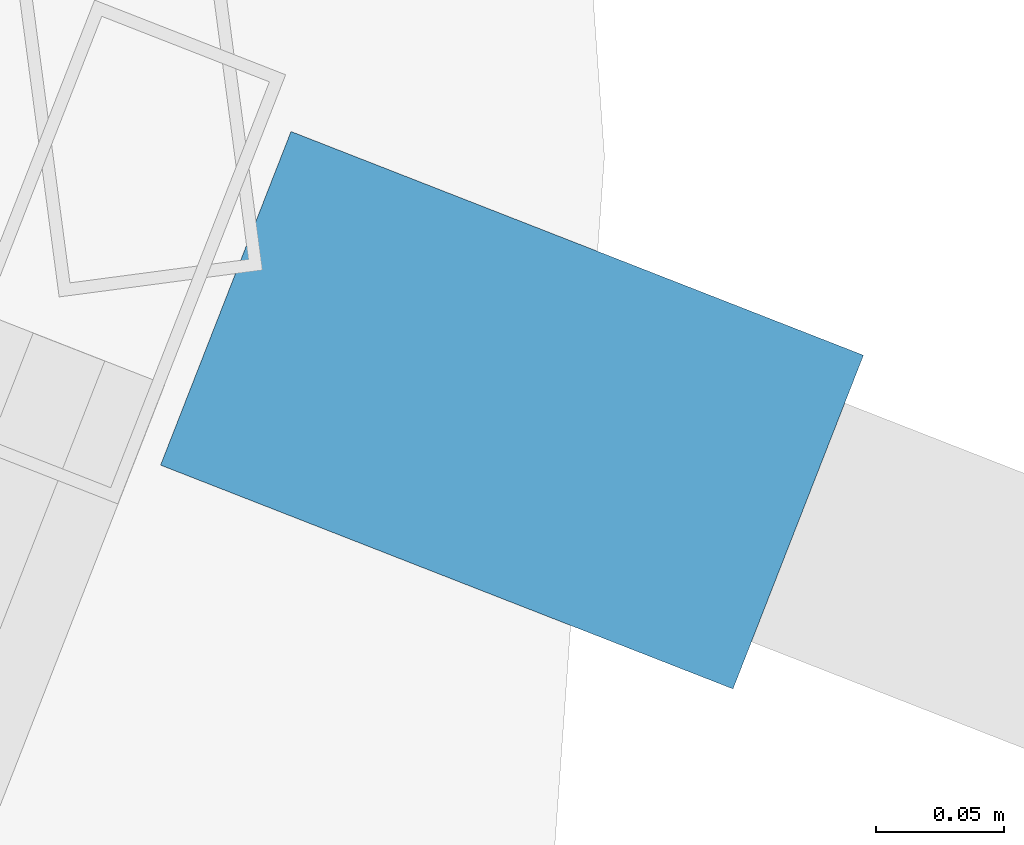
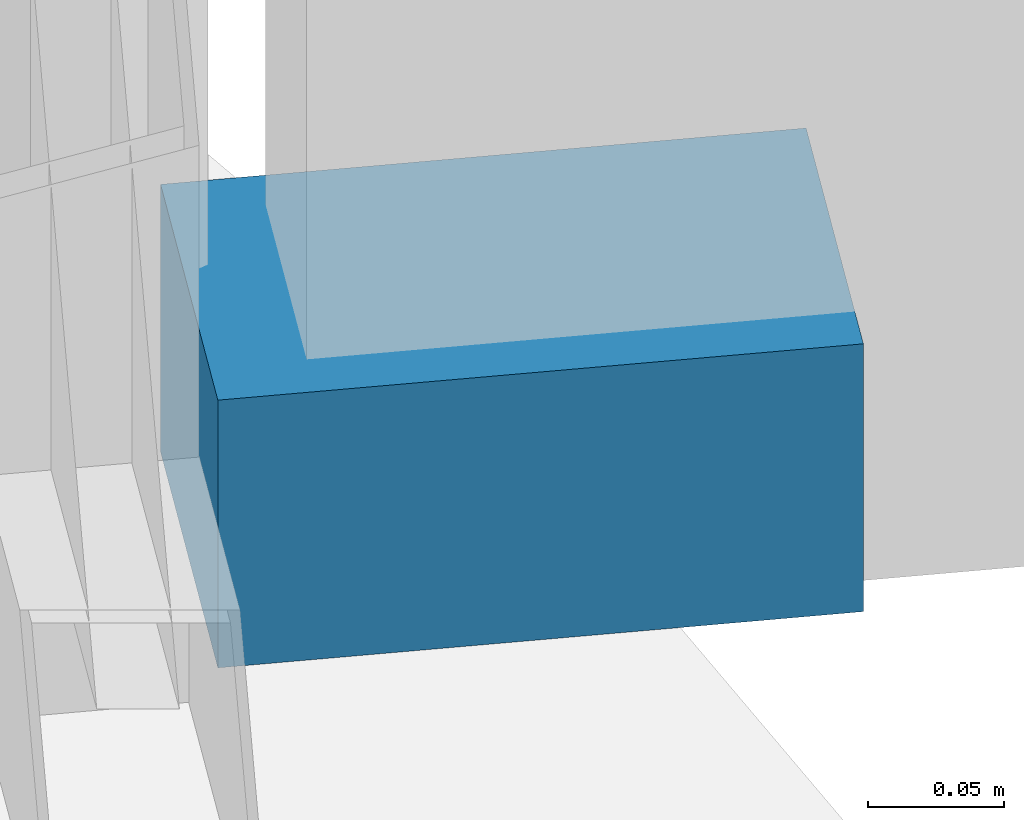
# One storey, part 30 of 33: 1 discrete accessory.
"""IFC4 building model written with IfcOpenShell, lengths in metres."""

from ifc_helpers import new_model, si_unit, direction, frame, origin, origin_2d, place, context, subcontext, project, spatial, rectangle, extrude, material, type_object, element, save


model = new_model("IFC4")

# Units and contexts
model_context = context("Model", 3, precision=1e-05, world=origin(), true_north=direction((0.0, 1.0)))
body_context = subcontext(model_context, "Body", "Model", "MODEL_VIEW")
ifc_project = project(units=[si_unit("LENGTHUNIT", "METRE"), si_unit("AREAUNIT", "SQUARE_METRE"), si_unit("VOLUMEUNIT", "CUBIC_METRE"), si_unit("PLANEANGLEUNIT", "RADIAN"), si_unit("MASSUNIT", "GRAM", prefix="KILO")], contexts=[model_context])

# Site, building, storey
site_placement = place(None, origin())
site = spatial("IfcSite", under=ifc_project, at=site_placement, CompositionType="ELEMENT")
building_placement = place(site_placement, origin())
building = spatial("IfcBuilding", under=site, at=building_placement, Name="Kazevale Care Tower and Concert Hall", CompositionType="ELEMENT")
storey_placement = place(building_placement, frame((0.0, 0.0, 149.39990234375)))
storey = spatial("IfcBuildingStorey", under=building, at=storey_placement, Name="L39", CompositionType="ELEMENT", Elevation=149.39990234375)

# Discrete accessory
ifc_material = material(Name="Stainless Steel 316", Category="steel")
discrete_accessory_type = type_object("IfcDiscreteAccessoryType", Name="Facade Fin Stainless Anchor Bracket BRK-1", PredefinedType="BRACKET", material=ifc_material)
discrete_accessory_placement = place(storey_placement, frame((79.36376953125, 37.90087890625, 0.0), z_axis=(0.0, 0.0, 1.0), x_axis=(0.931373876365, -0.364064146031, 0.0)))
element("IfcDiscreteAccessory", 1, at=discrete_accessory_placement, inside=storey, type_object=discrete_accessory_type, Name="cw:L39:f01:brk", PredefinedType="BRACKET", context=body_context, shape_type="SweptSolid", body=[
    extrude(rectangle(XDim=0.239990234375, YDim=0.139892578125, at=origin_2d()), origin(), (0.0, 0.0, 1.0), 0.1201171875),
])

save(model, "model.ifc")
